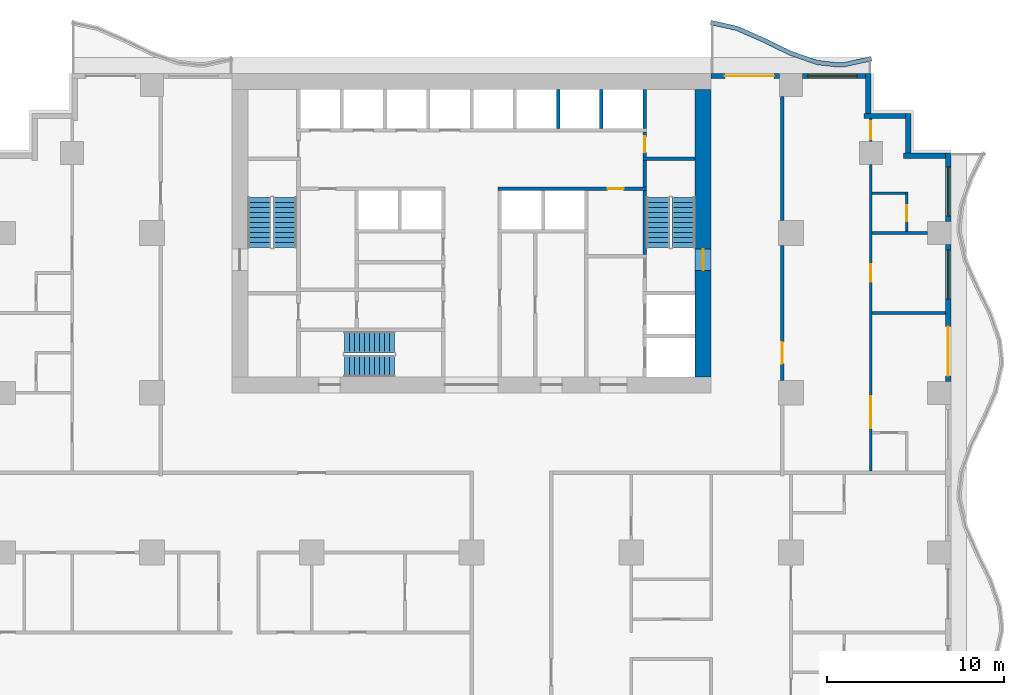
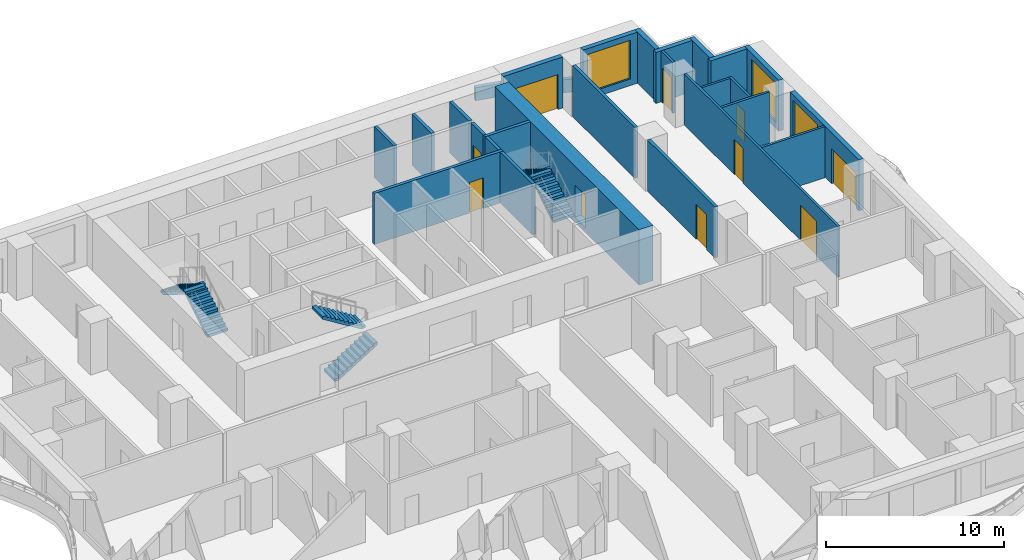
# One storey, part 6 of 13: 26 walls, 10 doors, 6 stair flights, 3 windows, 13 openings, 3 elements without a shape of their own.
"""IFC4 building model written with IfcOpenShell, lengths in metres."""

from ifc_helpers import new_model, si_unit, direction, frame, frame_2d, origin, place, context, subcontext, project, spatial, polyline, rectangle, outline, extrude, material, layer, layer_set, type_object, element, fill, aggregate, save


model = new_model("IFC4")

# Units and contexts
model_context = context("Model", 3, precision=1e-05, world=origin(), true_north=direction((0.0, 1.0)))
body_context = subcontext(model_context, "Body", "Model", "MODEL_VIEW")
ifc_project = project(units=[si_unit("LENGTHUNIT", "METRE"), si_unit("AREAUNIT", "SQUARE_METRE"), si_unit("VOLUMEUNIT", "CUBIC_METRE"), si_unit("PLANEANGLEUNIT", "RADIAN"), si_unit("MASSUNIT", "GRAM", prefix="KILO")], contexts=[model_context])

# Site, building, storey
site_placement = place(None, origin())
site = spatial("IfcSite", under=ifc_project, at=site_placement, CompositionType="ELEMENT")
building_placement = place(site_placement, origin())
building = spatial("IfcBuilding", under=site, at=building_placement, Name="Orbiselva Terraces", CompositionType="ELEMENT")
storey_placement = place(building_placement, frame((0.0, 0.0, 96.0)))
storey = spatial("IfcBuildingStorey", under=building, at=storey_placement, Name="L24", CompositionType="ELEMENT", Elevation=96.0)

# Wall, opening, door
ifc_material_1 = material(Name="Concrete C80/95", Category="concrete")
ifc_layer_1 = layer(ifc_material_1, 0.9)
ifc_layer_set_1 = layer_set([ifc_layer_1], Name="Concrete C80/95")
wall_type_1 = type_object("IfcWallType", Name="CORE WALL 900", PredefinedType="SHEAR", material=ifc_layer_set_1)
wall_1_placement = place(storey_placement, frame((13.05, 5.4, -0.3), z_axis=(0.0, 0.0, 1.0), x_axis=(0.0, 1.0, 0.0)))
wall_1 = element("IfcWall", 1, at=wall_1_placement, inside=storey, type_object=wall_type_1, Name="Core wall L24 east", PredefinedType="SHEAR", context=body_context, shape_type="SweptSolid", body=[
    extrude(rectangle(XDim=16.2, YDim=0.9, at=frame_2d((8.1, 0.0))), origin(), (0.0, 0.0, 1.0), 3.8),
])
opening_1_placement = place(wall_1_placement, frame((6.0, 0.0, 0.3)))
opening_1 = element("IfcOpeningElement", 2, at=opening_1_placement, cuts=wall_1, Name="Opening DS1200", PredefinedType="OPENING", context=body_context, shape_type="SweptSolid", body=[
    extrude(rectangle(XDim=1.2, YDim=2.2, at=frame_2d((0.6, 1.1))), frame((0.0, 0.46, 0.0), z_axis=(0.0, -1.0, 0.0), x_axis=(1.0, 0.0, 0.0)), (0.0, 0.0, 1.0), 0.92),
])
ifc_material_2 = material(Name="Steel fire door", Category="steel")
door_type_1 = type_object("IfcDoorType", Name="STAIR DOOR 1200", OperationType="NOTDEFINED", PredefinedType="DOOR", material=ifc_material_2)
door_1_placement = place(opening_1_placement, frame((1.2, 0.0, 0.0), z_axis=(0.0, 0.0, 1.0), x_axis=(-1.0, 0.0, 0.0)))
door_1 = element("IfcDoor", 3, at=door_1_placement, inside=storey, type_object=door_type_1, Name="L24 EXIT STAIR S2 door", OperationType="SINGLE_SWING_LEFT", OverallHeight=2.2, OverallWidth=1.2, PredefinedType="DOOR", context=body_context, shape_type="SweptSolid", body=[
    extrude(rectangle(XDim=1.2, YDim=2.2, at=frame_2d((0.6, 1.1))), frame((0.0, 0.025, 0.0), z_axis=(0.0, -1.0, 0.0), x_axis=(1.0, 0.0, 0.0)), (0.0, 0.0, 1.0), 0.05),
])
fill(opening_1, door_1)

ifc_material_3 = material(Name="Masonry blockwork", Category="masonry")
ifc_layer_2 = layer(ifc_material_3, 0.2)
ifc_layer_set_2 = layer_set([ifc_layer_2], Name="Masonry blockwork")
wall_type_2 = type_object("IfcWallType", Name="CORE-WALL-PARTITION-200", PredefinedType="PARTITIONING", material=ifc_layer_set_2)
wall_2_placement = place(storey_placement, frame((9.75, 19.2, 0.0), z_axis=(0.0, 0.0, 1.0), x_axis=(0.0, -1.0, 0.0)))
wall_2 = element("IfcWall", 4, at=wall_2_placement, inside=storey, type_object=wall_type_2, Name="L24 core wall 50", PredefinedType="PARTITIONING", context=body_context, shape_type="SweptSolid", body=[
    extrude(rectangle(XDim=1.4, YDim=0.2, at=frame_2d((0.7, 0.0))), origin(), (0.0, 0.0, 1.0), 3.5),
])
opening_2_placement = place(wall_2_placement, frame((0.25, 0.0, 0.0)))
opening_2 = element("IfcOpeningElement", 5, at=opening_2_placement, cuts=wall_2, Name="Opening DR900", PredefinedType="OPENING", context=body_context, shape_type="SweptSolid", body=[
    extrude(rectangle(XDim=0.9, YDim=2.1, at=frame_2d((0.45, 1.05))), frame((0.0, 0.11, 0.0), z_axis=(0.0, -1.0, 0.0), x_axis=(1.0, 0.0, 0.0)), (0.0, 0.0, 1.0), 0.22),
])
door_type_2 = type_object("IfcDoorType", Name="ROOM DOOR 900", OperationType="NOTDEFINED", PredefinedType="DOOR", material=ifc_material_2)
door_2_placement = place(opening_2_placement, origin())
door_2 = element("IfcDoor", 6, at=door_2_placement, inside=storey, type_object=door_type_2, Name="L24 ELECTRICAL RISER ROOM door", OperationType="SINGLE_SWING_RIGHT", OverallHeight=2.1, OverallWidth=0.9, PredefinedType="DOOR", context=body_context, shape_type="SweptSolid", body=[
    extrude(rectangle(XDim=0.9, YDim=2.1, at=frame_2d((0.45, 1.05))), frame((0.0, 0.025, 0.0), z_axis=(0.0, -1.0, 0.0), x_axis=(1.0, 0.0, 0.0)), (0.0, 0.0, 1.0), 0.05),
])
fill(opening_2, door_2)

# Walls
ifc_material_4 = material(Name="Concrete C40/50", Category="concrete")
ifc_layer_3 = layer(ifc_material_4, 0.2)
ifc_layer_set_3 = layer_set([ifc_layer_3], Name="Concrete C40/50")
wall_type_3 = type_object("IfcWallType", Name="CORE-WALL-SHAFT-200", PredefinedType="PARTITIONING", material=ifc_layer_set_3)
for number, where, z_axis, x_axis, name in (
    (7, (4.875, 19.4, 0.0), (0.0, 0.0, 1.0), (0.0, 1.0, 0.0), "L24 core wall 36"),
    (8, (7.3125, 19.4, 0.0), (0.0, 0.0, 1.0), (0.0, 1.0, 0.0), "L24 core wall 41"),
    (9, (9.75, 19.4, 0.0), (0.0, 0.0, 1.0), (0.0, 1.0, 0.0), "L24 core wall 51"),
):
    element("IfcWall", number, at=place(storey_placement, frame(where, z_axis=z_axis, x_axis=x_axis)), inside=storey, type_object=wall_type_3, Name=name, PredefinedType="PARTITIONING", context=body_context, shape_type="SweptSolid", body=[
        extrude(rectangle(XDim=2.2, YDim=0.2, at=frame_2d((1.1, 0.0))), origin(), (0.0, 0.0, 1.0), 3.5),
    ])

# Wall, opening, door
ifc_material_5 = material(Name="Concrete C60/75", Category="concrete")
ifc_layer_4 = layer(ifc_material_5, 0.2)
ifc_layer_set_4 = layer_set([ifc_layer_4], Name="Concrete C60/75")
wall_type_4 = type_object("IfcWallType", Name="CORE-WALL-SHEAR-200", PredefinedType="SHEAR", material=ifc_layer_set_4)
wall_3_placement = place(storey_placement, frame((9.85, 16.0, 0.0), z_axis=(0.0, 0.0, 1.0), x_axis=(-1.0, 0.0, 0.0)))
wall_3 = element("IfcWall", 10, at=wall_3_placement, inside=storey, type_object=wall_type_4, Name="L24 core wall 32", PredefinedType="SHEAR", context=body_context, shape_type="SweptSolid", body=[
    extrude(rectangle(XDim=8.35, YDim=0.2, at=frame_2d((4.175, 0.0))), origin(), (0.0, 0.0, 1.0), 3.5),
])
opening_3_placement = place(wall_3_placement, frame((1.2875, 0.0, 0.0)))
opening_3 = element("IfcOpeningElement", 11, at=opening_3_placement, cuts=wall_3, Name="Opening DR900", PredefinedType="OPENING", context=body_context, shape_type="SweptSolid", body=[
    extrude(rectangle(XDim=0.9, YDim=2.1, at=frame_2d((0.45, 1.05))), frame((0.0, 0.11, 0.0), z_axis=(0.0, -1.0, 0.0), x_axis=(1.0, 0.0, 0.0)), (0.0, 0.0, 1.0), 0.22),
])
door_3_placement = place(opening_3_placement, origin())
door_3 = element("IfcDoor", 12, at=door_3_placement, inside=storey, type_object=door_type_2, Name="L24 PIPE RISER ROOM door", OperationType="SINGLE_SWING_LEFT", OverallHeight=2.1, OverallWidth=0.9, PredefinedType="DOOR", context=body_context, shape_type="SweptSolid", body=[
    extrude(rectangle(XDim=0.9, YDim=2.1, at=frame_2d((0.45, 1.05))), frame((0.0, 0.025, 0.0), z_axis=(0.0, -1.0, 0.0), x_axis=(1.0, 0.0, 0.0)), (0.0, 0.0, 1.0), 0.05),
])
fill(opening_3, door_3)

# Walls
wall_4_placement = place(storey_placement, frame((9.75, 12.3, 0.0), z_axis=(0.0, 0.0, 1.0), x_axis=(0.0, 1.0, 0.0)))
element("IfcWall", 13, at=wall_4_placement, inside=storey, type_object=wall_type_4, Name="L24 core wall 47", PredefinedType="SHEAR", context=body_context, shape_type="SweptSolid", body=[
    extrude(rectangle(XDim=3.6, YDim=0.2, at=frame_2d((1.8, 0.0))), origin(), (0.0, 0.0, 1.0), 3.5),
])
wall_5_placement = place(storey_placement, frame((9.75, 16.1, 0.0), z_axis=(0.0, 0.0, 1.0), x_axis=(0.0, 1.0, 0.0)))
element("IfcWall", 14, at=wall_5_placement, inside=storey, type_object=wall_type_4, Name="L24 core wall 48", PredefinedType="SHEAR", context=body_context, shape_type="SweptSolid", body=[
    extrude(rectangle(XDim=1.5, YDim=0.2, at=frame_2d((0.75, 0.0))), origin(), (0.0, 0.0, 1.0), 3.5),
])
wall_6_placement = place(storey_placement, frame((9.65, 17.7, 0.0), z_axis=(0.0, 0.0, 1.0), x_axis=(1.0, 0.0, 0.0)))
element("IfcWall", 15, at=wall_6_placement, inside=storey, type_object=wall_type_4, Name="L24 core wall 49", PredefinedType="SHEAR", context=body_context, shape_type="SweptSolid", body=[
    extrude(rectangle(XDim=2.95, YDim=0.2, at=frame_2d((1.475, 0.0))), origin(), (0.0, 0.0, 1.0), 3.5),
])
ifc_layer_5 = layer(ifc_material_4, 0.25)
ifc_layer_set_5 = layer_set([ifc_layer_5], Name="Concrete C40/50")
wall_type_5 = type_object("IfcWallType", Name="ENV-PLANTER-250x900", PredefinedType="USERDEFINED", material=ifc_layer_set_5)
wall_7_placement = place(storey_placement, origin())
element("IfcWall", 16, at=wall_7_placement, inside=storey, type_object=wall_type_5, Name="Balcony planter L24 NE", ObjectType="PLANTER", PredefinedType="USERDEFINED", context=body_context, shape_type="SweptSolid", body=[
    extrude(outline(polyline([(22.5, 23.451472), (21.0, 23.114774), (20.625, 23.1), (19.5, 23.230792), (18.0, 23.755211), (16.5, 24.487721), (15.0, 25.148528), (13.5, 25.485226), (13.445246, 25.241296), (14.921492, 24.90993), (16.394714, 24.260919), (17.90356, 23.524089), (19.443629, 22.985662), (20.615428, 22.849429), (21.032565, 22.865863), (22.554754, 23.207542), (22.5, 23.451472)])), origin(), (0.0, 0.0, 1.0), 0.9),
])

# Wall, openings, door, window
ifc_material_6 = material(Name="Terracotta cladding on masonry backing", Category="masonry")
ifc_layer_6 = layer(ifc_material_6, 0.3)
ifc_layer_set_6 = layer_set([ifc_layer_6], Name="Terracotta cladding on masonry backing")
wall_type_6 = type_object("IfcWallType", Name="ENV-WALL-TERRACOTTA-300", PredefinedType="SOLIDWALL", material=ifc_layer_set_6)
wall_8_placement = place(storey_placement, frame((26.85, 12.85, 0.0), z_axis=(0.0, 0.0, 1.0), x_axis=(0.0, -1.0, 0.0)))
wall_8 = element("IfcWall", 17, at=wall_8_placement, inside=storey, type_object=wall_type_6, Name="Facade wall L24 E", PredefinedType="SOLIDWALL", context=body_context, shape_type="SweptSolid", body=[
    extrude(rectangle(XDim=7.7, YDim=0.3, at=frame_2d((3.85, 0.0))), origin(), (0.0, 0.0, 1.0), 3.5),
])
opening_4_placement = place(wall_8_placement, frame((4.625, 0.0, 0.0)))
opening_4 = element("IfcOpeningElement", 18, at=opening_4_placement, cuts=wall_8, Name="Opening Z2-C-E05", PredefinedType="OPENING", context=body_context, shape_type="SweptSolid", body=[
    extrude(rectangle(XDim=2.775, YDim=2.4, at=frame_2d((1.3875, 1.2))), frame((0.0, 0.16, 0.0), z_axis=(0.0, -1.0, 0.0), x_axis=(1.0, 0.0, 0.0)), (0.0, 0.0, 1.0), 0.32),
])
opening_5_placement = place(wall_8_placement, frame((0.3, 0.0, 0.45)))
opening_5 = element("IfcOpeningElement", 19, at=opening_5_placement, cuts=wall_8, Name="Opening WN6", PredefinedType="OPENING", context=body_context, shape_type="SweptSolid", body=[
    extrude(rectangle(XDim=2.775, YDim=2.65, at=frame_2d((1.3875, 1.325))), frame((0.0, 0.16, 0.0), z_axis=(0.0, -1.0, 0.0), x_axis=(1.0, 0.0, 0.0)), (0.0, 0.0, 1.0), 0.32),
])
ifc_material_7 = material(Name="Clear low-e glazing in aluminium frame", Category="aluminium")
door_type_3 = type_object("IfcDoorType", Name="BALCONY DOOR 2775 X 2400", OperationType="DOUBLE_DOOR_SLIDING", PredefinedType="DOOR", material=ifc_material_7)
door_4_placement = place(opening_4_placement, origin())
door_4 = element("IfcDoor", 20, at=door_4_placement, inside=storey, type_object=door_type_3, Name="Z2-C-E05", OperationType="SINGLE_SWING_LEFT", OverallHeight=2.4, OverallWidth=2.775, PredefinedType="DOOR", context=body_context, shape_type="SweptSolid", body=[
    extrude(rectangle(XDim=2.775, YDim=2.4, at=frame_2d((1.3875, 1.2))), frame((0.0, 0.025, 0.0), z_axis=(0.0, -1.0, 0.0), x_axis=(1.0, 0.0, 0.0)), (0.0, 0.0, 1.0), 0.05),
])
fill(opening_4, door_4)
window_type = type_object("IfcWindowType", Name="WINDOW 2775 X 2650 S450", PartitioningType="TRIPLE_PANEL_VERTICAL", PredefinedType="WINDOW", material=ifc_material_7)
window_1_placement = place(opening_5_placement, origin())
window_1 = element("IfcWindow", 21, at=window_1_placement, inside=storey, type_object=window_type, Name="Window L24 E", OverallHeight=2.65, OverallWidth=2.775, PartitioningType="SINGLE_PANEL", PredefinedType="WINDOW", context=body_context, shape_type="SweptSolid", body=[
    extrude(rectangle(XDim=2.775, YDim=2.65, at=frame_2d((1.3875, 1.325))), frame((0.0, 0.03, 0.0), z_axis=(0.0, -1.0, 0.0), x_axis=(1.0, 0.0, 0.0)), (0.0, 0.0, 1.0), 0.06),
])
fill(opening_5, window_1)

# Wall, opening, window
wall_9_placement = place(storey_placement, frame((26.85, 18.0, 0.0), z_axis=(0.0, 0.0, 1.0), x_axis=(0.0, -1.0, 0.0)))
wall_9 = element("IfcWall", 22, at=wall_9_placement, inside=storey, type_object=wall_type_6, Name="Facade wall L24 E", PredefinedType="SOLIDWALL", context=body_context, shape_type="SweptSolid", body=[
    extrude(rectangle(XDim=3.85, YDim=0.3, at=frame_2d((1.925, 0.0))), origin(), (0.0, 0.0, 1.0), 3.5),
])
opening_6_placement = place(wall_9_placement, frame((0.775, 0.0, 0.45)))
opening_6 = element("IfcOpeningElement", 23, at=opening_6_placement, cuts=wall_9, Name="Opening WN6", PredefinedType="OPENING", context=body_context, shape_type="SweptSolid", body=[
    extrude(rectangle(XDim=2.775, YDim=2.65, at=frame_2d((1.3875, 1.325))), frame((0.0, 0.16, 0.0), z_axis=(0.0, -1.0, 0.0), x_axis=(1.0, 0.0, 0.0)), (0.0, 0.0, 1.0), 0.32),
])
window_2_placement = place(opening_6_placement, origin())
window_2 = element("IfcWindow", 24, at=window_2_placement, inside=storey, type_object=window_type, Name="Window L24 E", OverallHeight=2.65, OverallWidth=2.775, PartitioningType="SINGLE_PANEL", PredefinedType="WINDOW", context=body_context, shape_type="SweptSolid", body=[
    extrude(rectangle(XDim=2.775, YDim=2.65, at=frame_2d((1.3875, 1.325))), frame((0.0, 0.03, 0.0), z_axis=(0.0, -1.0, 0.0), x_axis=(1.0, 0.0, 0.0)), (0.0, 0.0, 1.0), 0.06),
])
fill(opening_6, window_2)

# Walls
wall_10_placement = place(storey_placement, frame((24.35, 17.85, 0.0), z_axis=(0.0, 0.0, 1.0), x_axis=(1.0, 0.0, 0.0)))
element("IfcWall", 25, at=wall_10_placement, inside=storey, type_object=wall_type_6, Name="Facade wall L24 STEP", PredefinedType="SOLIDWALL", context=body_context, shape_type="SweptSolid", body=[
    extrude(rectangle(XDim=2.35, YDim=0.3, at=frame_2d((1.175, 0.0))), origin(), (0.0, 0.0, 1.0), 3.5),
])
wall_11_placement = place(storey_placement, frame((24.6, 20.25, 0.0), z_axis=(0.0, 0.0, 1.0), x_axis=(0.0, -1.0, 0.0)))
element("IfcWall", 26, at=wall_11_placement, inside=storey, type_object=wall_type_6, Name="Facade wall L24 STEP", PredefinedType="SOLIDWALL", context=body_context, shape_type="SweptSolid", body=[
    extrude(rectangle(XDim=2.25, YDim=0.3, at=frame_2d((1.125, 0.0))), origin(), (0.0, 0.0, 1.0), 3.5),
])
wall_12_placement = place(storey_placement, frame((22.1, 20.1, 0.0), z_axis=(0.0, 0.0, 1.0), x_axis=(1.0, 0.0, 0.0)))
element("IfcWall", 27, at=wall_12_placement, inside=storey, type_object=wall_type_6, Name="Facade wall L24 STEP", PredefinedType="SOLIDWALL", context=body_context, shape_type="SweptSolid", body=[
    extrude(rectangle(XDim=2.35, YDim=0.3, at=frame_2d((1.175, 0.0))), origin(), (0.0, 0.0, 1.0), 3.5),
])
wall_13_placement = place(storey_placement, frame((22.35, 22.5, 0.0), z_axis=(0.0, 0.0, 1.0), x_axis=(0.0, -1.0, 0.0)))
element("IfcWall", 28, at=wall_13_placement, inside=storey, type_object=wall_type_6, Name="Facade wall L24 STEP", PredefinedType="SOLIDWALL", context=body_context, shape_type="SweptSolid", body=[
    extrude(rectangle(XDim=2.25, YDim=0.3, at=frame_2d((1.125, 0.0))), origin(), (0.0, 0.0, 1.0), 3.5),
])

# Wall, opening, window
wall_14_placement = place(storey_placement, frame((18.65, 22.35, 0.0), z_axis=(0.0, 0.0, 1.0), x_axis=(1.0, 0.0, 0.0)))
wall_14 = element("IfcWall", 29, at=wall_14_placement, inside=storey, type_object=wall_type_6, Name="Facade wall L24 NE", PredefinedType="SOLIDWALL", context=body_context, shape_type="SweptSolid", body=[
    extrude(rectangle(XDim=3.55, YDim=0.3, at=frame_2d((1.775, 0.0))), origin(), (0.0, 0.0, 1.0), 3.5),
])
opening_7_placement = place(wall_14_placement, frame((0.3, 0.0, 0.45)))
opening_7 = element("IfcOpeningElement", 30, at=opening_7_placement, cuts=wall_14, Name="Opening WN6", PredefinedType="OPENING", context=body_context, shape_type="SweptSolid", body=[
    extrude(rectangle(XDim=2.775, YDim=2.65, at=frame_2d((1.3875, 1.325))), frame((0.0, 0.16, 0.0), z_axis=(0.0, -1.0, 0.0), x_axis=(1.0, 0.0, 0.0)), (0.0, 0.0, 1.0), 0.32),
])
window_3_placement = place(opening_7_placement, origin())
window_3 = element("IfcWindow", 31, at=window_3_placement, inside=storey, type_object=window_type, Name="Window L24 NE", OverallHeight=2.65, OverallWidth=2.775, PartitioningType="SINGLE_PANEL", PredefinedType="WINDOW", context=body_context, shape_type="SweptSolid", body=[
    extrude(rectangle(XDim=2.775, YDim=2.65, at=frame_2d((1.3875, 1.325))), frame((0.0, 0.03, 0.0), z_axis=(0.0, -1.0, 0.0), x_axis=(1.0, 0.0, 0.0)), (0.0, 0.0, 1.0), 0.06),
])
fill(opening_7, window_3)

# Wall, opening, door
wall_15_placement = place(storey_placement, frame((13.5, 22.35, 0.0), z_axis=(0.0, 0.0, 1.0), x_axis=(1.0, 0.0, 0.0)))
wall_15 = element("IfcWall", 32, at=wall_15_placement, inside=storey, type_object=wall_type_6, Name="Facade wall L24 NE", PredefinedType="SOLIDWALL", context=body_context, shape_type="SweptSolid", body=[
    extrude(rectangle(XDim=3.85, YDim=0.3, at=frame_2d((1.925, 0.0))), origin(), (0.0, 0.0, 1.0), 3.5),
])
opening_8_placement = place(wall_15_placement, frame((0.775, 0.0, 0.0)))
opening_8 = element("IfcOpeningElement", 33, at=opening_8_placement, cuts=wall_15, Name="Opening Z2-C-E13", PredefinedType="OPENING", context=body_context, shape_type="SweptSolid", body=[
    extrude(rectangle(XDim=2.775, YDim=2.4, at=frame_2d((1.3875, 1.2))), frame((0.0, 0.16, 0.0), z_axis=(0.0, -1.0, 0.0), x_axis=(1.0, 0.0, 0.0)), (0.0, 0.0, 1.0), 0.32),
])
door_5_placement = place(opening_8_placement, origin())
door_5 = element("IfcDoor", 34, at=door_5_placement, inside=storey, type_object=door_type_3, Name="Z2-C-E13", OperationType="SINGLE_SWING_LEFT", OverallHeight=2.4, OverallWidth=2.775, PredefinedType="DOOR", context=body_context, shape_type="SweptSolid", body=[
    extrude(rectangle(XDim=2.775, YDim=2.4, at=frame_2d((1.3875, 1.2))), frame((0.0, 0.025, 0.0), z_axis=(0.0, -1.0, 0.0), x_axis=(1.0, 0.0, 0.0)), (0.0, 0.0, 1.0), 0.05),
])
fill(opening_8, door_5)

ifc_material_8 = material(Name="Plasterboard on steel stud partition", Category="steel")
ifc_layer_7 = layer(ifc_material_8, 0.2)
ifc_layer_set_7 = layer_set([ifc_layer_7], Name="Plasterboard on steel stud partition")
wall_type_7 = type_object("IfcWallType", Name="UNIT-ENTRANCE-WALL-200", PredefinedType="PARTITIONING", material=ifc_layer_set_7)
wall_16_placement = place(storey_placement, frame((17.5, 12.8, 0.0), z_axis=(0.0, 0.0, 1.0), x_axis=(0.0, -1.0, 0.0)))
wall_16 = element("IfcWall", 35, at=wall_16_placement, inside=storey, type_object=wall_type_7, Name="PARTITION L24-068", PredefinedType="PARTITIONING", context=body_context, shape_type="SweptSolid", body=[
    extrude(rectangle(XDim=7.6, YDim=0.2, at=frame_2d((3.8, 0.0))), origin(), (0.0, 0.0, 1.0), 3.5),
])
opening_9_placement = place(wall_16_placement, frame((5.45, 0.0, 0.0)))
opening_9 = element("IfcOpeningElement", 36, at=opening_9_placement, cuts=wall_16, Name="Opening Z2-C-07", PredefinedType="OPENING", context=body_context, shape_type="SweptSolid", body=[
    extrude(rectangle(XDim=1.2, YDim=2.4, at=frame_2d((0.6, 1.2))), frame((0.0, 0.11, 0.0), z_axis=(0.0, -1.0, 0.0), x_axis=(1.0, 0.0, 0.0)), (0.0, 0.0, 1.0), 0.22),
])
ifc_material_9 = material(Name="Painted timber door leaf", Category="wood")
door_type_4 = type_object("IfcDoorType", Name="ENTRANCE DOOR 1200", OperationType="NOTDEFINED", PredefinedType="DOOR", material=ifc_material_9)
door_6_placement = place(opening_9_placement, origin())
door_6 = element("IfcDoor", 37, at=door_6_placement, inside=storey, type_object=door_type_4, Name="Z2-C-07", OperationType="SINGLE_SWING_RIGHT", OverallHeight=2.4, OverallWidth=1.2, PredefinedType="DOOR", context=body_context, shape_type="SweptSolid", body=[
    extrude(rectangle(XDim=1.2, YDim=2.4, at=frame_2d((0.6, 1.2))), frame((0.0, 0.025, 0.0), z_axis=(0.0, -1.0, 0.0), x_axis=(1.0, 0.0, 0.0)), (0.0, 0.0, 1.0), 0.05),
])
fill(opening_9, door_6)

# Walls
wall_17_placement = place(storey_placement, frame((17.5, 14.2, 0.0), z_axis=(0.0, 0.0, 1.0), x_axis=(0.0, 1.0, 0.0)))
element("IfcWall", 38, at=wall_17_placement, inside=storey, type_object=wall_type_7, Name="PARTITION L24-069", PredefinedType="PARTITIONING", context=body_context, shape_type="SweptSolid", body=[
    extrude(rectangle(XDim=7.0, YDim=0.2, at=frame_2d((3.5, 0.0))), origin(), (0.0, 0.0, 1.0), 3.5),
])
ifc_layer_8 = layer(ifc_material_8, 0.15)
ifc_layer_set_8 = layer_set([ifc_layer_8], Name="Plasterboard on steel stud partition")
wall_type_8 = type_object("IfcWallType", Name="UNIT-PARTITION-150", PredefinedType="PARTITIONING", material=ifc_layer_set_8)
wall_18_placement = place(storey_placement, frame((22.575, 9.0, 0.0), z_axis=(0.0, 0.0, 1.0), x_axis=(1.0, 0.0, 0.0)))
element("IfcWall", 39, at=wall_18_placement, inside=storey, type_object=wall_type_8, Name="PARTITION L24-033", PredefinedType="PARTITIONING", context=body_context, shape_type="SweptSolid", body=[
    extrude(rectangle(XDim=4.125, YDim=0.15, at=frame_2d((2.0625, 0.0))), origin(), (0.0, 0.0, 1.0), 3.5),
])
wall_19_placement = place(storey_placement, frame((22.575, 13.5, 0.0), z_axis=(0.0, 0.0, 1.0), x_axis=(1.0, 0.0, 0.0)))
element("IfcWall", 40, at=wall_19_placement, inside=storey, type_object=wall_type_8, Name="PARTITION L24-035", PredefinedType="PARTITIONING", context=body_context, shape_type="SweptSolid", body=[
    extrude(rectangle(XDim=3.125, YDim=0.15, at=frame_2d((1.5625, 0.0))), origin(), (0.0, 0.0, 1.0), 3.5),
])
wall_20_placement = place(storey_placement, frame((22.575, 15.75, 0.0), z_axis=(0.0, 0.0, 1.0), x_axis=(1.0, 0.0, 0.0)))
element("IfcWall", 41, at=wall_20_placement, inside=storey, type_object=wall_type_8, Name="PARTITION L24-036", PredefinedType="PARTITIONING", context=body_context, shape_type="SweptSolid", body=[
    extrude(rectangle(XDim=1.875, YDim=0.15, at=frame_2d((0.9375, 0.0))), origin(), (0.0, 0.0, 1.0), 3.5),
])

# Wall, openings, doors
wall_21_placement = place(storey_placement, frame((22.5, 17.35, 0.0), z_axis=(0.0, 0.0, 1.0), x_axis=(0.0, -1.0, 0.0)))
wall_21 = element("IfcWall", 42, at=wall_21_placement, inside=storey, type_object=wall_type_8, Name="PARTITION L24-076", PredefinedType="PARTITIONING", context=body_context, shape_type="SweptSolid", body=[
    extrude(rectangle(XDim=17.25, YDim=0.15, at=frame_2d((8.625, 0.0))), origin(), (0.0, 0.0, 1.0), 3.5),
])
opening_10_placement = place(wall_21_placement, frame((13.05, 0.0, 0.0)))
opening_10 = element("IfcOpeningElement", 43, at=opening_10_placement, cuts=wall_21, Name="Opening Z2-C-08", PredefinedType="OPENING", context=body_context, shape_type="SweptSolid", body=[
    extrude(rectangle(XDim=1.8, YDim=2.4, at=frame_2d((0.9, 1.2))), frame((0.0, 0.085, 0.0), z_axis=(0.0, -1.0, 0.0), x_axis=(1.0, 0.0, 0.0)), (0.0, 0.0, 1.0), 0.17),
])
opening_11_placement = place(wall_21_placement, frame((5.6, 0.0, 0.0)))
opening_11 = element("IfcOpeningElement", 44, at=opening_11_placement, cuts=wall_21, Name="Opening Z2-C-10", PredefinedType="OPENING", context=body_context, shape_type="SweptSolid", body=[
    extrude(rectangle(XDim=1.0, YDim=2.4, at=frame_2d((0.5, 1.2))), frame((0.0, 0.085, 0.0), z_axis=(0.0, -1.0, 0.0), x_axis=(1.0, 0.0, 0.0)), (0.0, 0.0, 1.0), 0.17),
])
door_type_5 = type_object("IfcDoorType", Name="DOUBLE DOOR 1800", OperationType="NOTDEFINED", PredefinedType="DOOR", material=ifc_material_9)
door_7_placement = place(opening_10_placement, origin())
door_7 = element("IfcDoor", 45, at=door_7_placement, inside=storey, type_object=door_type_5, Name="Z2-C-08", OperationType="DOUBLE_DOOR_SINGLE_SWING", OverallHeight=2.4, OverallWidth=1.8, PredefinedType="DOOR", context=body_context, shape_type="SweptSolid", body=[
    extrude(rectangle(XDim=1.8, YDim=2.4, at=frame_2d((0.9, 1.2))), frame((0.0, 0.025, 0.0), z_axis=(0.0, -1.0, 0.0), x_axis=(1.0, 0.0, 0.0)), (0.0, 0.0, 1.0), 0.05),
])
fill(opening_10, door_7)
door_type_6 = type_object("IfcDoorType", Name="ROOM DOOR 1000", OperationType="NOTDEFINED", PredefinedType="DOOR", material=ifc_material_9)
door_8_placement = place(opening_11_placement, origin())
door_8 = element("IfcDoor", 46, at=door_8_placement, inside=storey, type_object=door_type_6, Name="Z2-C-10", OperationType="SINGLE_SWING_LEFT", OverallHeight=2.4, OverallWidth=1.0, PredefinedType="DOOR", context=body_context, shape_type="SweptSolid", body=[
    extrude(rectangle(XDim=1.0, YDim=2.4, at=frame_2d((0.5, 1.2))), frame((0.0, 0.025, 0.0), z_axis=(0.0, -1.0, 0.0), x_axis=(1.0, 0.0, 0.0)), (0.0, 0.0, 1.0), 0.05),
])
fill(opening_11, door_8)

# Wall, opening, door
wall_22_placement = place(storey_placement, frame((22.5, 19.95, 0.0), z_axis=(0.0, 0.0, 1.0), x_axis=(0.0, -1.0, 0.0)))
wall_22 = element("IfcWall", 47, at=wall_22_placement, inside=storey, type_object=wall_type_8, Name="PARTITION L24-077", PredefinedType="PARTITIONING", context=body_context, shape_type="SweptSolid", body=[
    extrude(rectangle(XDim=1.3, YDim=0.15, at=frame_2d((0.65, 0.0))), origin(), (0.0, 0.0, 1.0), 3.5),
])
opening_12_placement = place(wall_22_placement, frame((0.15, 0.0, 0.0)))
opening_12 = element("IfcOpeningElement", 48, at=opening_12_placement, cuts=wall_22, Name="Opening Z2-C-11", PredefinedType="OPENING", context=body_context, shape_type="SweptSolid", body=[
    extrude(rectangle(XDim=1.0, YDim=2.4, at=frame_2d((0.5, 1.2))), frame((0.0, 0.085, 0.0), z_axis=(0.0, -1.0, 0.0), x_axis=(1.0, 0.0, 0.0)), (0.0, 0.0, 1.0), 0.17),
])
door_9_placement = place(opening_12_placement, origin())
door_9 = element("IfcDoor", 49, at=door_9_placement, inside=storey, type_object=door_type_6, Name="Z2-C-11", OperationType="SINGLE_SWING_RIGHT", OverallHeight=2.4, OverallWidth=1.0, PredefinedType="DOOR", context=body_context, shape_type="SweptSolid", body=[
    extrude(rectangle(XDim=1.0, YDim=2.4, at=frame_2d((0.5, 1.2))), frame((0.0, 0.025, 0.0), z_axis=(0.0, -1.0, 0.0), x_axis=(1.0, 0.0, 0.0)), (0.0, 0.0, 1.0), 0.05),
])
fill(opening_12, door_9)

wall_23_placement = place(storey_placement, frame((24.525, 13.575, 0.0), z_axis=(0.0, 0.0, 1.0), x_axis=(0.0, 1.0, 0.0)))
wall_23 = element("IfcWall", 50, at=wall_23_placement, inside=storey, type_object=wall_type_8, Name="PARTITION L24-079", PredefinedType="PARTITIONING", context=body_context, shape_type="SweptSolid", body=[
    extrude(rectangle(XDim=2.25, YDim=0.15, at=frame_2d((1.125, 0.0))), origin(), (0.0, 0.0, 1.0), 3.5),
])
opening_13_placement = place(wall_23_placement, frame((0.6, 0.0, 0.0)))
opening_13 = element("IfcOpeningElement", 51, at=opening_13_placement, cuts=wall_23, Name="Opening Z2-C-12", PredefinedType="OPENING", context=body_context, shape_type="SweptSolid", body=[
    extrude(rectangle(XDim=0.9, YDim=2.1, at=frame_2d((0.45, 1.05))), frame((0.0, 0.085, 0.0), z_axis=(0.0, -1.0, 0.0), x_axis=(1.0, 0.0, 0.0)), (0.0, 0.0, 1.0), 0.17),
])
door_type_7 = type_object("IfcDoorType", Name="BATH DOOR 900", OperationType="NOTDEFINED", PredefinedType="DOOR", material=ifc_material_9)
door_10_placement = place(opening_13_placement, origin())
door_10 = element("IfcDoor", 52, at=door_10_placement, inside=storey, type_object=door_type_7, Name="Z2-C-12", OperationType="SINGLE_SWING_LEFT", OverallHeight=2.1, OverallWidth=0.9, PredefinedType="DOOR", context=body_context, shape_type="SweptSolid", body=[
    extrude(rectangle(XDim=0.9, YDim=2.1, at=frame_2d((0.45, 1.05))), frame((0.0, 0.025, 0.0), z_axis=(0.0, -1.0, 0.0), x_axis=(1.0, 0.0, 0.0)), (0.0, 0.0, 1.0), 0.05),
])
fill(opening_13, door_10)

# Stair, stair flights
stair_type_1 = type_object("IfcStairType", Name="CORE-STAIR-1200", PredefinedType="HALF_TURN_STAIR", material=ifc_material_4)
stair_1_placement = place(storey_placement, origin())
stair_1 = element("IfcStair", 53, at=stair_1_placement, inside=storey, type_object=stair_type_1, Name="L24 Exit Stair S3", PredefinedType="HALF_TURN_STAIR")
stair_flight_type_1 = type_object("IfcStairFlightType", Name="CORE-STAIR-FLIGHT-1200", PredefinedType="STRAIGHT", material=ifc_material_4)
stair_flight_1_placement = place(storey_placement, frame((-7.15, 6.0, 0.0), z_axis=(0.0, 0.0, 1.0), x_axis=(1.0, 0.0, 0.0)))
stair_flight_1 = element("IfcStairFlight", 54, at=stair_flight_1_placement, type_object=stair_flight_type_1, Name="S3 flight 1", NumberOfRisers=11, NumberOfTreads=10, PredefinedType="STRAIGHT", RiserHeight=0.172727273, TreadLength=0.28, context=body_context, shape_type="SweptSolid", body=[
    extrude(outline(polyline([(0.0, 0.0), (0.0, 0.172727), (0.28, 0.172727), (0.28, 0.345455), (0.56, 0.345455), (0.56, 0.518182), (0.84, 0.518182), (0.84, 0.690909), (1.12, 0.690909), (1.12, 0.863636), (1.4, 0.863636), (1.4, 1.036364), (1.68, 1.036364), (1.68, 1.209091), (1.96, 1.209091), (1.96, 1.381818), (2.24, 1.381818), (2.24, 1.554545), (2.52, 1.554545), (2.52, 1.727273), (2.8, 1.727273), (2.8, 1.9), (2.8, 1.551028), (0.285702, 0.0), (0.0, 0.0)])), frame((0.0, 0.6, 0.0), z_axis=(0.0, -1.0, 0.0), x_axis=(1.0, 0.0, 0.0)), (0.0, 0.0, 1.0), 1.2),
])
stair_flight_2_placement = place(storey_placement, frame((-4.35, 7.35, 1.9), z_axis=(0.0, 0.0, 1.0), x_axis=(-1.0, 0.0, 0.0)))
stair_flight_2 = element("IfcStairFlight", 55, at=stair_flight_2_placement, type_object=stair_flight_type_1, Name="S3 flight 2", NumberOfRisers=11, NumberOfTreads=10, PredefinedType="STRAIGHT", RiserHeight=0.172727273, TreadLength=0.28, context=body_context, shape_type="SweptSolid", body=[
    extrude(outline(polyline([(0.0, 0.0), (0.0, 0.172727), (0.28, 0.172727), (0.28, 0.345455), (0.56, 0.345455), (0.56, 0.518182), (0.84, 0.518182), (0.84, 0.690909), (1.12, 0.690909), (1.12, 0.863636), (1.4, 0.863636), (1.4, 1.036364), (1.68, 1.036364), (1.68, 1.209091), (1.96, 1.209091), (1.96, 1.381818), (2.24, 1.381818), (2.24, 1.554545), (2.52, 1.554545), (2.52, 1.727273), (2.8, 1.727273), (2.8, 1.9), (2.8, 1.551028), (0.285702, 0.0), (0.0, 0.0)])), frame((0.0, 0.6, 0.0), z_axis=(0.0, -1.0, 0.0), x_axis=(1.0, 0.0, 0.0)), (0.0, 0.0, 1.0), 1.2),
])
aggregate(stair_1, [stair_flight_1, stair_flight_2])

stair_type_2 = type_object("IfcStairType", Name="CORE-STAIR-1300", PredefinedType="HALF_TURN_STAIR", material=ifc_material_4)
stair_2_placement = place(storey_placement, origin())
stair_2 = element("IfcStair", 56, at=stair_2_placement, inside=storey, type_object=stair_type_2, Name="L24 Exit Stair S1", PredefinedType="HALF_TURN_STAIR")
stair_flight_type_2 = type_object("IfcStairFlightType", Name="CORE-STAIR-FLIGHT-1300", PredefinedType="STRAIGHT", material=ifc_material_4)
stair_flight_3_placement = place(storey_placement, frame((-10.5, 12.7, 0.0), z_axis=(0.0, 0.0, 1.0), x_axis=(0.0, 1.0, 0.0)))
stair_flight_3 = element("IfcStairFlight", 57, at=stair_flight_3_placement, type_object=stair_flight_type_2, Name="S1 flight 1", NumberOfRisers=11, NumberOfTreads=10, PredefinedType="STRAIGHT", RiserHeight=0.172727273, TreadLength=0.28, context=body_context, shape_type="SweptSolid", body=[
    extrude(outline(polyline([(0.0, 0.0), (0.0, 0.172727), (0.28, 0.172727), (0.28, 0.345455), (0.56, 0.345455), (0.56, 0.518182), (0.84, 0.518182), (0.84, 0.690909), (1.12, 0.690909), (1.12, 0.863636), (1.4, 0.863636), (1.4, 1.036364), (1.68, 1.036364), (1.68, 1.209091), (1.96, 1.209091), (1.96, 1.381818), (2.24, 1.381818), (2.24, 1.554545), (2.52, 1.554545), (2.52, 1.727273), (2.8, 1.727273), (2.8, 1.9), (2.8, 1.551028), (0.285702, 0.0), (0.0, 0.0)])), frame((0.0, 0.65, 0.0), z_axis=(0.0, -1.0, 0.0), x_axis=(1.0, 0.0, 0.0)), (0.0, 0.0, 1.0), 1.3),
])
stair_flight_4_placement = place(storey_placement, frame((-11.95, 15.5, 1.9), z_axis=(0.0, 0.0, 1.0), x_axis=(0.0, -1.0, 0.0)))
stair_flight_4 = element("IfcStairFlight", 58, at=stair_flight_4_placement, type_object=stair_flight_type_2, Name="S1 flight 2", NumberOfRisers=11, NumberOfTreads=10, PredefinedType="STRAIGHT", RiserHeight=0.172727273, TreadLength=0.28, context=body_context, shape_type="SweptSolid", body=[
    extrude(outline(polyline([(0.0, 0.0), (0.0, 0.172727), (0.28, 0.172727), (0.28, 0.345455), (0.56, 0.345455), (0.56, 0.518182), (0.84, 0.518182), (0.84, 0.690909), (1.12, 0.690909), (1.12, 0.863636), (1.4, 0.863636), (1.4, 1.036364), (1.68, 1.036364), (1.68, 1.209091), (1.96, 1.209091), (1.96, 1.381818), (2.24, 1.381818), (2.24, 1.554545), (2.52, 1.554545), (2.52, 1.727273), (2.8, 1.727273), (2.8, 1.9), (2.8, 1.551028), (0.285702, 0.0), (0.0, 0.0)])), frame((0.0, 0.65, 0.0), z_axis=(0.0, -1.0, 0.0), x_axis=(1.0, 0.0, 0.0)), (0.0, 0.0, 1.0), 1.3),
])
aggregate(stair_2, [stair_flight_3, stair_flight_4])

stair_3_placement = place(storey_placement, origin())
stair_3 = element("IfcStair", 59, at=stair_3_placement, inside=storey, type_object=stair_type_2, Name="L24 Exit Stair S2", PredefinedType="HALF_TURN_STAIR")
stair_flight_5_placement = place(storey_placement, frame((11.95, 12.7, 0.0), z_axis=(0.0, 0.0, 1.0), x_axis=(0.0, 1.0, 0.0)))
stair_flight_5 = element("IfcStairFlight", 60, at=stair_flight_5_placement, type_object=stair_flight_type_2, Name="S2 flight 1", NumberOfRisers=11, NumberOfTreads=10, PredefinedType="STRAIGHT", RiserHeight=0.172727273, TreadLength=0.28, context=body_context, shape_type="SweptSolid", body=[
    extrude(outline(polyline([(0.0, 0.0), (0.0, 0.172727), (0.28, 0.172727), (0.28, 0.345455), (0.56, 0.345455), (0.56, 0.518182), (0.84, 0.518182), (0.84, 0.690909), (1.12, 0.690909), (1.12, 0.863636), (1.4, 0.863636), (1.4, 1.036364), (1.68, 1.036364), (1.68, 1.209091), (1.96, 1.209091), (1.96, 1.381818), (2.24, 1.381818), (2.24, 1.554545), (2.52, 1.554545), (2.52, 1.727273), (2.8, 1.727273), (2.8, 1.9), (2.8, 1.551028), (0.285702, 0.0), (0.0, 0.0)])), frame((0.0, 0.65, 0.0), z_axis=(0.0, -1.0, 0.0), x_axis=(1.0, 0.0, 0.0)), (0.0, 0.0, 1.0), 1.3),
])
stair_flight_6_placement = place(storey_placement, frame((10.5, 15.5, 1.9), z_axis=(0.0, 0.0, 1.0), x_axis=(0.0, -1.0, 0.0)))
stair_flight_6 = element("IfcStairFlight", 61, at=stair_flight_6_placement, type_object=stair_flight_type_2, Name="S2 flight 2", NumberOfRisers=11, NumberOfTreads=10, PredefinedType="STRAIGHT", RiserHeight=0.172727273, TreadLength=0.28, context=body_context, shape_type="SweptSolid", body=[
    extrude(outline(polyline([(0.0, 0.0), (0.0, 0.172727), (0.28, 0.172727), (0.28, 0.345455), (0.56, 0.345455), (0.56, 0.518182), (0.84, 0.518182), (0.84, 0.690909), (1.12, 0.690909), (1.12, 0.863636), (1.4, 0.863636), (1.4, 1.036364), (1.68, 1.036364), (1.68, 1.209091), (1.96, 1.209091), (1.96, 1.381818), (2.24, 1.381818), (2.24, 1.554545), (2.52, 1.554545), (2.52, 1.727273), (2.8, 1.727273), (2.8, 1.9), (2.8, 1.551028), (0.285702, 0.0), (0.0, 0.0)])), frame((0.0, 0.65, 0.0), z_axis=(0.0, -1.0, 0.0), x_axis=(1.0, 0.0, 0.0)), (0.0, 0.0, 1.0), 1.3),
])
aggregate(stair_3, [stair_flight_5, stair_flight_6])

save(model, "model.ifc")
